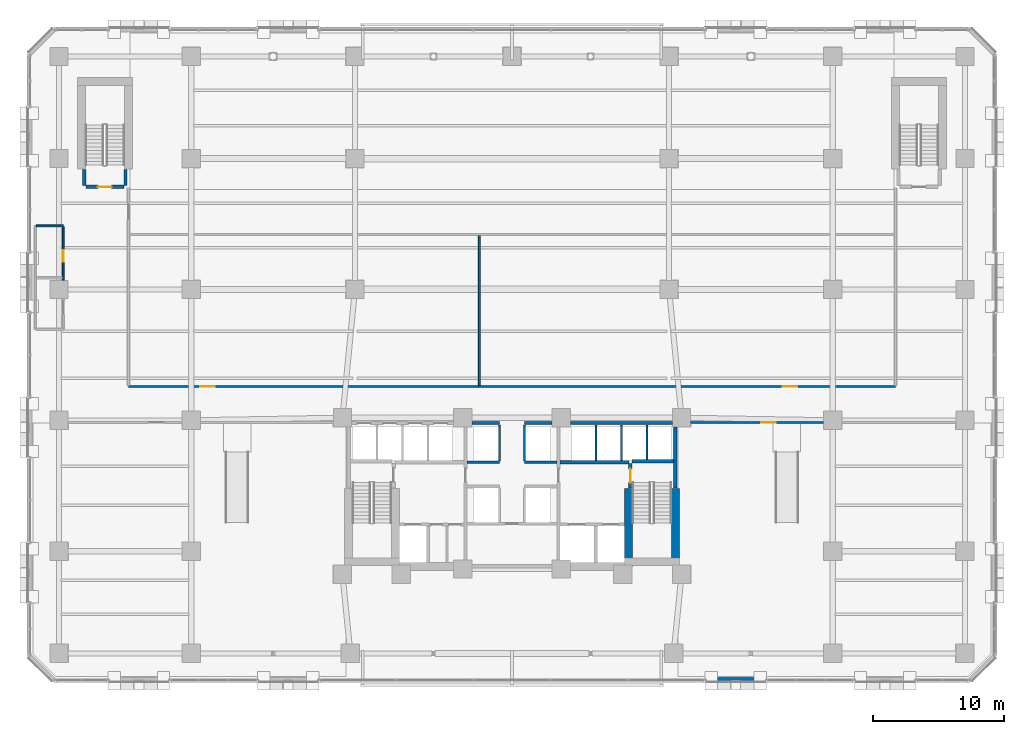
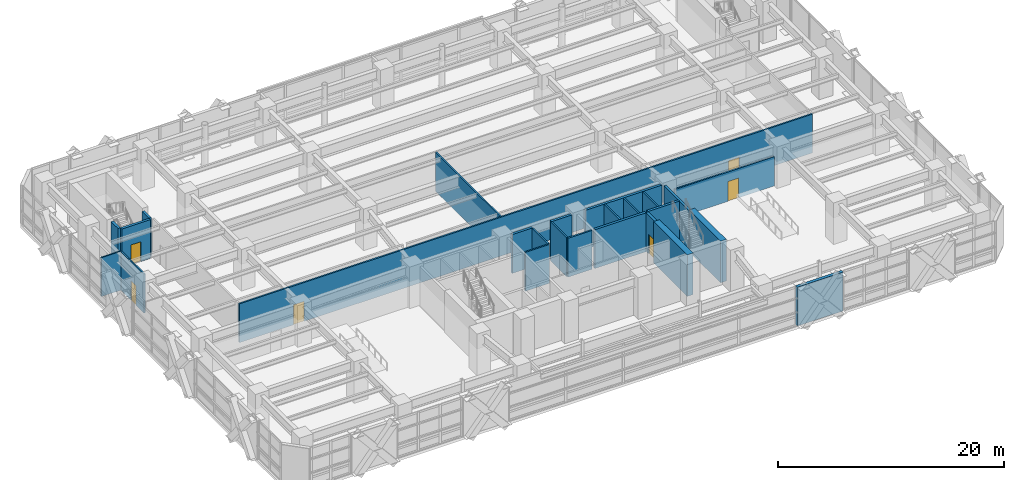
# One storey, part 18 of 30: 25 walls, 6 doors, 6 openings.
"""IFC4 building model written with IfcOpenShell, lengths in metres."""

import ifcopenshell
import ifcopenshell.guid

model = None  # the IFC model being written
_history = None  # IfcOwnerHistory: only IFC2X3 demands one
_inside = {}  # id of a spatial element -> (the spatial element, [elements in it])
_under = {}  # id of a project, library or spatial element -> (it, [spatial elements below it])
_declared = {}  # id of a project -> (the project, [libraries it declares])
_typed = {}  # id of a type object -> (the type object, [elements of that type])
_made_of = {}  # id of a material, layer set ... -> (it, [elements and type objects made of it])


def new_model(schema):
    """Start an empty IFC model of exactly this schema.

    Asked for "IFC4X3", IfcOpenShell would pick the latest addendum, in which some entities
    have other attributes; the version numbers below select the first issue.
    IFC2X3 requires an IfcOwnerHistory on every rooted entity: one is made here for all.
    """
    global model, _history
    if schema == "IFC4X3":
        model = ifcopenshell.file(schema_version=(4, 3, 0, 0))
    else:
        model = ifcopenshell.file(schema=schema)
    _inside.clear()
    _under.clear()
    _declared.clear()
    _typed.clear()
    _made_of.clear()
    _history = None
    if model.schema == "IFC2X3":
        org = make("IfcOrganization", Name="unknown")
        user = make(
            "IfcPersonAndOrganization",
            ThePerson=make("IfcPerson", FamilyName="unknown"),
            TheOrganization=org,
        )
        app = make(
            "IfcApplication",
            ApplicationDeveloper=org,
            Version="unknown",
            ApplicationFullName="unknown",
            ApplicationIdentifier="unknown",
        )
        _history = make(
            "IfcOwnerHistory",
            OwningUser=user,
            OwningApplication=app,
            ChangeAction="ADDED",
            CreationDate=0,
        )
    return model


def make(cls, **values):
    """One entity of the class cls with the attributes given. An attribute that is None is left unset."""
    return model.create_entity(
        cls, **{name: value for name, value in values.items() if value is not None}
    )


def rooted(cls, **values):
    """An entity with a GlobalId (a new one), such as an element, a storey or a relation."""
    return make(cls, GlobalId=ifcopenshell.guid.new(), OwnerHistory=_history, **values)


def si_unit(unit_type, name, prefix=None):
    """IfcSIUnit, for example si_unit("LENGTHUNIT", "METRE", prefix="MILLI")."""
    return make("IfcSIUnit", UnitType=unit_type, Prefix=prefix, Name=name)


def assignment(units):
    """IfcUnitAssignment: the units of a project."""
    return None if units is None else make("IfcUnitAssignment", Units=units)


def point(xyz):
    """IfcCartesianPoint."""
    return None if xyz is None else make("IfcCartesianPoint", Coordinates=xyz)


def direction(xyz):
    """IfcDirection."""
    return None if xyz is None else make("IfcDirection", DirectionRatios=xyz)


def frame(location, z_axis=None, x_axis=None):
    """IfcAxis2Placement3D, a coordinate frame: its origin and axes. An axis left out is left unset."""
    return make(
        "IfcAxis2Placement3D",
        Location=point(location),
        Axis=direction(z_axis),
        RefDirection=direction(x_axis),
    )


def frame_2d(location, x_axis=None):
    """IfcAxis2Placement2D, a coordinate frame in the plane: its origin and x axis."""
    return make(
        "IfcAxis2Placement2D", Location=point(location), RefDirection=direction(x_axis)
    )


def origin():
    """The frame at (0, 0, 0) with its axes left unset."""
    return frame((0.0, 0.0, 0.0))


def place(relative_to, where):
    """IfcLocalPlacement: puts the frame where relative to a parent placement (None: the world)."""
    return make(
        "IfcLocalPlacement", PlacementRelTo=relative_to, RelativePlacement=where
    )


def context(
    kind, dimensions, precision=None, world=None, true_north=None, identifier=None
):
    """IfcGeometricRepresentationContext, for example the 3D "Model" context."""
    return make(
        "IfcGeometricRepresentationContext",
        ContextIdentifier=identifier,
        ContextType=kind,
        CoordinateSpaceDimension=dimensions,
        Precision=precision,
        WorldCoordinateSystem=world,
        TrueNorth=true_north,
    )


def subcontext(parent, identifier, kind, view, scale=None):
    """IfcGeometricRepresentationSubContext, for example "Body" below "Model"."""
    return make(
        "IfcGeometricRepresentationSubContext",
        ContextIdentifier=identifier,
        ContextType=kind,
        ParentContext=parent,
        TargetScale=scale,
        TargetView=view,
    )


def project(units=None, contexts=None):
    """IfcProject with its units and contexts."""
    return rooted(
        "IfcProject",
        Name="project",
        RepresentationContexts=contexts,
        UnitsInContext=assignment(units),
    )


def spatial(cls, under=None, at=None, **own):
    """A site, building, storey or space (cls), placed at a placement, below another one or the project."""
    s = rooted(cls, ObjectPlacement=at, **own)
    if under is not None:
        _under.setdefault(under.id(), (under, []))[1].append(s)
    return s


def profile(cls, at=None, kind="AREA", **sizes):
    """A parametric profile (cls). Its sizes go by their IFC names, for example OverallWidth=200.0."""
    return make(cls, ProfileType=kind, Position=at, **sizes)


def rectangle(**sizes):
    """IfcRectangleProfileDef."""
    return profile("IfcRectangleProfileDef", **sizes)


def extrude(swept, where, along, depth):
    """IfcExtrudedAreaSolid: the profile swept, set in the frame where, extruded along a direction by depth."""
    return make(
        "IfcExtrudedAreaSolid",
        SweptArea=swept,
        Position=where,
        ExtrudedDirection=direction(along),
        Depth=depth,
    )


def shape(context_of_items, identifier, shape_type, items):
    """IfcShapeRepresentation: the items that make up one representation, for example the "Body"."""
    return make(
        "IfcShapeRepresentation",
        ContextOfItems=context_of_items,
        RepresentationIdentifier=identifier,
        RepresentationType=shape_type,
        Items=items,
    )


def material(Name=None, Category=None):
    """IfcMaterial."""
    return make("IfcMaterial", Name=Name, Category=Category)


def layer(
    of_material, thickness, ventilated=None, Name=None, Category=None, Priority=None
):
    """IfcMaterialLayer: one layer of a wall or slab, of a material (None: an air gap)."""
    return make(
        "IfcMaterialLayer",
        Material=of_material,
        LayerThickness=thickness,
        IsVentilated=ventilated,
        Name=Name,
        Category=Category,
        Priority=Priority,
    )


def layer_set(layers, Name=None):
    """IfcMaterialLayerSet."""
    return make("IfcMaterialLayerSet", MaterialLayers=layers, LayerSetName=Name)


def made_of(thing, what):
    """Note that an element or type object is made of a material, layer set ...; save() writes the relation."""
    if what is not None:
        _made_of.setdefault(what.id(), (what, []))[1].append(thing)
    return thing


def type_object(cls, material=None, **own):
    """A type object (cls), such as IfcWallType, which elements share."""
    return made_of(rooted(cls, **own), material)


def element(
    cls,
    number,
    at=None,
    inside=None,
    cuts=None,
    type_object=None,
    material=None,
    context=None,
    identifier="Body",
    shape_type=None,
    held_by="IfcProductDefinitionShape",
    body=None,
    shapes=None,
    **own,
):
    """One element of the class cls, such as IfcWall. Its Tag is "e" and its number.

    at: its placement. inside: the storey or other place that contains it. cuts: it is an
    opening in that element (IfcRelVoidsElement). A single representation is given by context,
    identifier, shape_type and body (its items); several are given by shapes. held_by: the class
    of the entity that holds the representations. save() writes the other relations.
    """
    e = rooted(cls, Tag="e%d" % number, ObjectPlacement=at, **own)
    if body is not None:
        shapes = [shape(context, identifier, shape_type, body)]
    if shapes is not None:
        e.Representation = make(held_by, Representations=shapes)
    if inside is not None:
        _inside.setdefault(inside.id(), (inside, []))[1].append(e)
    if cuts is not None:
        rooted(
            "IfcRelVoidsElement", RelatingBuildingElement=cuts, RelatedOpeningElement=e
        )
    if type_object is not None:
        _typed.setdefault(type_object.id(), (type_object, []))[1].append(e)
    return made_of(e, material)


def fill(opening, filler):
    """IfcRelFillsElement: the door or window that sits in an opening."""
    return rooted(
        "IfcRelFillsElement",
        RelatingOpeningElement=opening,
        RelatedBuildingElement=filler,
    )


def aggregate(whole, parts):
    """IfcRelAggregates: a whole, such as a stair, and the parts it consists of."""
    return rooted("IfcRelAggregates", RelatingObject=whole, RelatedObjects=parts)


def save(model, path):
    """Write the relations noted so far, then the file.

    IfcRelAggregates (storeys below a building ...), IfcRelContainedInSpatialStructure (elements
    in a storey), IfcRelDefinesByType, IfcRelAssociatesMaterial and IfcRelDeclares: one each for
    every whole, place, type object, material and project.
    """
    for whole, parts in _under.values():
        aggregate(whole, parts)
    for where, things in _inside.values():
        rooted(
            "IfcRelContainedInSpatialStructure",
            RelatedElements=things,
            RelatingStructure=where,
        )
    for kind, things in _typed.values():
        rooted("IfcRelDefinesByType", RelatedObjects=things, RelatingType=kind)
    for what, things in _made_of.values():
        rooted("IfcRelAssociatesMaterial", RelatedObjects=things, RelatingMaterial=what)
    for by, libraries in _declared.values():
        rooted("IfcRelDeclares", RelatingContext=by, RelatedDefinitions=libraries)
    model.write(path)


model = new_model("IFC4")

# Units and contexts
model_context = context("Model", 3, precision=1e-05, world=origin(), true_north=direction((0.0, 1.0)))
body_context = subcontext(model_context, "Body", "Model", "MODEL_VIEW")
ifc_project = project(units=[si_unit("LENGTHUNIT", "METRE"), si_unit("AREAUNIT", "SQUARE_METRE"), si_unit("VOLUMEUNIT", "CUBIC_METRE"), si_unit("PLANEANGLEUNIT", "RADIAN"), si_unit("MASSUNIT", "GRAM", prefix="KILO")], contexts=[model_context])

# Site, building, storey
site_placement = place(None, origin())
site = spatial("IfcSite", under=ifc_project, at=site_placement, CompositionType="ELEMENT")
building_placement = place(site_placement, origin())
building = spatial("IfcBuilding", under=site, at=building_placement, Name="Quenlor Broadcast Tower", CompositionType="ELEMENT")
storey_placement = place(building_placement, frame((0.0, 0.0, 9.5)))
storey = spatial("IfcBuildingStorey", under=building, at=storey_placement, Name="L02", CompositionType="ELEMENT", Elevation=9.5)

# Wall
ifc_material_1 = material(Name="Acoustic Double Stud Gypsum Partition", Category="other")
ifc_layer_1 = layer(ifc_material_1, 0.14990234375)
ifc_layer_set_1 = layer_set([ifc_layer_1], Name="Broadcast Studio Acoustic Partition 150")
wall_type_1 = type_object("IfcWallType", Name="Broadcast Studio Acoustic Partition 150", PredefinedType="PARTITIONING", material=ifc_layer_set_1)
wall_1_placement = place(storey_placement, frame((-2.5, -2.337890625, 0.0), z_axis=(0.0, 0.0, 1.0), x_axis=(0.0, 1.0, 0.0)))
element("IfcWall", 1, at=wall_1_placement, inside=storey, type_object=wall_type_1, Name="L02 Interior Wall PW-PD-VX", PredefinedType="PARTITIONING", context=body_context, shape_type="SweptSolid", body=[
    extrude(rectangle(XDim=11.4580078125, YDim=0.14990234375, at=frame_2d((5.72900390625, 0.0))), origin(), (0.0, 0.0, 1.0), 4.199951171875),
])

# Wall, opening, door
wall_2_placement = place(storey_placement, frame((-34.280029296875, 5.701904296875, 0.0), z_axis=(0.0, 0.0, 1.0), x_axis=(0.0, 1.0, 0.0)))
wall_2 = element("IfcWall", 2, at=wall_2_placement, inside=storey, type_object=wall_type_1, Name="L02 Interior Wall PW-PD-WCES2", PredefinedType="PARTITIONING", context=body_context, shape_type="SweptSolid", body=[
    extrude(rectangle(XDim=4.088134765625, YDim=0.14990234375, at=frame_2d((2.0439453125, 0.0))), origin(), (0.0, 0.0, 1.0), 4.199951171875),
])
opening_1_placement = place(wall_2_placement, frame((1.407958984375, 0.0, 0.0)))
opening_1 = element("IfcOpeningElement", 3, at=opening_1_placement, cuts=wall_2, Name="Opening ID-3", PredefinedType="OPENING", context=body_context, shape_type="SweptSolid", body=[
    extrude(rectangle(XDim=0.89990234375, YDim=2.1201171875, at=frame_2d((0.449951171875, 1.06005859375))), frame((0.0, 0.0849609375, 0.0), z_axis=(0.0, -1.0, 0.0), x_axis=(1.0, 0.0, 0.0)), (0.0, 0.0, 1.0), 0.169921875),
])
ifc_material_2 = material(Name="Moisture Resistant Timber Oak", Category="wood")
door_type_1 = type_object("IfcDoorType", Name="Washroom Privacy Door 900x2120", OperationType="NOTDEFINED", PredefinedType="DOOR", material=ifc_material_2)
door_1_placement = place(opening_1_placement, origin())
door_1 = element("IfcDoor", 4, at=door_1_placement, inside=storey, type_object=door_type_1, Name="L02 Door DR-PD-FWC", OperationType="SINGLE_SWING_RIGHT", OverallHeight=2.1201171875, OverallWidth=0.89990234375, PredefinedType="DOOR", context=body_context, shape_type="SweptSolid", body=[
    extrude(rectangle(XDim=0.89990234375, YDim=2.1201171875, at=frame_2d((0.449951171875, 1.06005859375))), frame((0.0, 0.02490234375, 0.0), z_axis=(0.0, -1.0, 0.0), x_axis=(1.0, 0.0, 0.0)), (0.0, 0.0, 1.0), 0.050048828125),
])
fill(opening_1, door_1)

# Walls
wall_3_placement = place(storey_placement, frame((-36.343017578125, 9.85009765625, 0.0), z_axis=(0.0, 0.0, 1.0), x_axis=(1.0, 0.0, 0.0)))
element("IfcWall", 5, at=wall_3_placement, inside=storey, type_object=wall_type_1, Name="L02 Interior Wall PW-PD-WCN", PredefinedType="PARTITIONING", context=body_context, shape_type="SweptSolid", body=[
    extrude(rectangle(XDim=2.06298828125, YDim=0.14990234375, at=frame_2d((1.031494140625, 0.0))), origin(), (0.0, 0.0, 1.0), 4.199951171875),
])
ifc_material_3 = material(Name="Concrete C65/80", Category="concrete")
ifc_layer_2 = layer(ifc_material_3, 0.60009765625)
ifc_layer_set_2 = layer_set([ifc_layer_2], Name="Core Concrete C65/80 Shear Wall 600")
wall_type_2 = type_object("IfcWallType", Name="Core Concrete C65/80 Shear Wall 600", PredefinedType="SHEAR", material=ifc_layer_set_2)
wall_4_placement = place(storey_placement, frame((12.5, -15.800048828125, 0.0), z_axis=(0.0, 0.0, 1.0), x_axis=(0.0, 1.0, 0.0)))
element("IfcWall", 6, at=wall_4_placement, inside=storey, type_object=wall_type_2, Name="L02 Core Shear Wall WF-E", PredefinedType="SHEAR", context=body_context, shape_type="SweptSolid", body=[
    extrude(rectangle(XDim=5.60009765625, YDim=0.60009765625, at=frame_2d((2.800048828125, 0.0))), origin(), (0.0, 0.0, 1.0), 4.5),
])
wall_5_placement = place(storey_placement, frame((8.89990234375, -16.14990234375, 0.0), z_axis=(0.0, 0.0, 1.0), x_axis=(0.0, 1.0, 0.0)))
element("IfcWall", 7, at=wall_5_placement, inside=storey, type_object=wall_type_2, Name="L02 Core Shear Wall WI-E", PredefinedType="SHEAR", context=body_context, shape_type="SweptSolid", body=[
    extrude(rectangle(XDim=5.949951171875, YDim=0.60009765625, at=frame_2d((2.97509765625, 0.0))), origin(), (0.0, 0.0, 1.0), 4.5),
])

# Wall, opening, door
ifc_material_4 = material(Name="Concrete C40/50", Category="concrete")
ifc_layer_3 = layer(ifc_material_4, 0.25)
ifc_layer_set_3 = layer_set([ifc_layer_3], Name="Fire Rated Concrete C40/50 Core Wall 250")
wall_type_3 = type_object("IfcWallType", Name="Fire Rated Concrete C40/50 Core Wall 250", PredefinedType="PARTITIONING", material=ifc_layer_set_3)
wall_6_placement = place(storey_placement, frame((9.0400390625, -10.179931640625, 0.0), z_axis=(0.0, 0.0, 1.0), x_axis=(0.0, 1.0, 0.0)))
wall_6 = element("IfcWall", 8, at=wall_6_placement, inside=storey, type_object=wall_type_3, Name="L02 Interior Wall CW-ST2-DR", PredefinedType="PARTITIONING", context=body_context, shape_type="SweptSolid", body=[
    extrude(rectangle(XDim=1.89990234375, YDim=0.25, at=frame_2d((0.949951171875, 0.0))), origin(), (0.0, 0.0, 1.0), 4.199951171875),
])
opening_2_placement = place(wall_6_placement, frame((0.419921875, 0.0, 0.0)))
opening_2 = element("IfcOpeningElement", 9, at=opening_2_placement, cuts=wall_6, Name="Opening FD-1", PredefinedType="OPENING", context=body_context, shape_type="SweptSolid", body=[
    extrude(rectangle(XDim=1.050048828125, YDim=2.14990234375, at=frame_2d((0.52490234375, 1.074951171875))), frame((0.0, 0.135009765625, 0.0), z_axis=(0.0, -1.0, 0.0), x_axis=(1.0, 0.0, 0.0)), (0.0, 0.0, 1.0), 0.27001953125),
])
ifc_material_5 = material(Name="Fire Rated Steel Door Leaf", Category="steel")
door_type_2 = type_object("IfcDoorType", Name="Fire Isolated Stair Door 1050x2150", OperationType="NOTDEFINED", PredefinedType="DOOR", material=ifc_material_5)
door_2_placement = place(opening_2_placement, origin())
door_2 = element("IfcDoor", 10, at=door_2_placement, inside=storey, type_object=door_type_2, Name="L02 Door DR-ST2", OperationType="SINGLE_SWING_RIGHT", OverallHeight=2.14990234375, OverallWidth=1.050048828125, PredefinedType="DOOR", context=body_context, shape_type="SweptSolid", body=[
    extrude(rectangle(XDim=1.050048828125, YDim=2.14990234375, at=frame_2d((0.52490234375, 1.074951171875))), frame((0.0, 0.02490234375, 0.0), z_axis=(0.0, -1.0, 0.0), x_axis=(1.0, 0.0, 0.0)), (0.0, 0.0, 1.0), 0.050048828125),
])
fill(opening_2, door_2)

# Walls
wall_7_placement = place(storey_placement, frame((9.159912109375, -8.1201171875, 0.0), z_axis=(0.0, 0.0, 1.0), x_axis=(1.0, 0.0, 0.0)))
element("IfcWall", 11, at=wall_7_placement, inside=storey, type_object=wall_type_3, Name="L02 Interior Wall CW-ST2-N", PredefinedType="PARTITIONING", context=body_context, shape_type="SweptSolid", body=[
    extrude(rectangle(XDim=3.219970703125, YDim=0.25, at=frame_2d((1.60986328125, 0.0))), origin(), (0.0, 0.0, 1.0), 4.199951171875),
])
wall_8_placement = place(storey_placement, frame((12.47998046875, -10.179931640625, 0.0), z_axis=(0.0, 0.0, 1.0), x_axis=(0.0, 1.0, 0.0)))
element("IfcWall", 12, at=wall_8_placement, inside=storey, type_object=wall_type_3, Name="L02 Interior Wall CW-ST2-E2", PredefinedType="PARTITIONING", context=body_context, shape_type="SweptSolid", body=[
    extrude(rectangle(XDim=4.677978515625, YDim=0.25, at=frame_2d((2.3388671875, 0.0))), origin(), (0.0, 0.0, 1.0), 4.199951171875),
])

# Wall, opening, door
wall_9_placement = place(storey_placement, frame((-32.550048828125, 12.840087890625, 0.0), z_axis=(0.0, 0.0, 1.0), x_axis=(1.0, 0.0, 0.0)))
wall_9 = element("IfcWall", 13, at=wall_9_placement, inside=storey, type_object=wall_type_3, Name="L02 Interior Wall CW-ST3-S", PredefinedType="PARTITIONING", context=body_context, shape_type="SweptSolid", body=[
    extrude(rectangle(XDim=2.900146484375, YDim=0.25, at=frame_2d((1.4501953125, 0.0))), origin(), (0.0, 0.0, 1.0), 4.199951171875),
])
opening_3_placement = place(wall_9_placement, frame((0.919921875, 0.0, 0.0)))
opening_3 = element("IfcOpeningElement", 14, at=opening_3_placement, cuts=wall_9, Name="Opening FD-1", PredefinedType="OPENING", context=body_context, shape_type="SweptSolid", body=[
    extrude(rectangle(XDim=1.050048828125, YDim=2.14990234375, at=frame_2d((0.52490234375, 1.074951171875))), frame((0.0, 0.135009765625, 0.0), z_axis=(0.0, -1.0, 0.0), x_axis=(1.0, 0.0, 0.0)), (0.0, 0.0, 1.0), 0.27001953125),
])
door_3_placement = place(opening_3_placement, origin())
door_3 = element("IfcDoor", 15, at=door_3_placement, inside=storey, type_object=door_type_2, Name="L02 Door DR-ST3", OperationType="SINGLE_SWING_LEFT", OverallHeight=2.14990234375, OverallWidth=1.050048828125, PredefinedType="DOOR", context=body_context, shape_type="SweptSolid", body=[
    extrude(rectangle(XDim=1.050048828125, YDim=2.14990234375, at=frame_2d((0.52490234375, 1.074951171875))), frame((0.0, 0.02490234375, 0.0), z_axis=(0.0, -1.0, 0.0), x_axis=(1.0, 0.0, 0.0)), (0.0, 0.0, 1.0), 0.050048828125),
])
fill(opening_3, door_3)

# Walls
for number, where, z_axis, x_axis, name in (
    (16, (-32.679931640625, 12.9599609375, 0.0), (0.0, 0.0, 1.0), (0.0, 1.0, 0.0), "L02 Interior Wall CW-ST3-W1"),
    (17, (-29.52001953125, 12.9599609375, 0.0), (0.0, 0.0, 1.0), (0.0, 1.0, 0.0), "L02 Interior Wall CW-ST3-E1"),
):
    element("IfcWall", number, at=place(storey_placement, frame(where, z_axis=z_axis, x_axis=x_axis)), inside=storey, type_object=wall_type_3, Name=name, PredefinedType="PARTITIONING", context=body_context, shape_type="SweptSolid", body=[
        extrude(rectangle(XDim=1.219970703125, YDim=0.25, at=frame_2d((0.60986328125, 0.0))), origin(), (0.0, 0.0, 1.0), 4.199951171875),
    ])
wall_10_placement = place(storey_placement, frame((3.679931640625, -8.199951171875, 0.0), z_axis=(0.0, 0.0, 1.0), x_axis=(1.0, 0.0, 0.0)))
element("IfcWall", 18, at=wall_10_placement, inside=storey, type_object=wall_type_3, Name="L02 Interior Wall CW-FFE-N", PredefinedType="PARTITIONING", context=body_context, shape_type="SweptSolid", body=[
    extrude(rectangle(XDim=5.239990234375, YDim=0.25, at=frame_2d((2.6201171875, 0.0))), origin(), (0.0, 0.0, 1.0), 4.199951171875),
])
wall_11_placement = place(storey_placement, frame((4.451904296875, -5.199951171875, 0.0), z_axis=(0.0, 0.0, 1.0), x_axis=(1.0, 0.0, 0.0)))
element("IfcWall", 19, at=wall_11_placement, inside=storey, type_object=wall_type_3, Name="L02 Interior Wall CW-N-E", PredefinedType="PARTITIONING", context=body_context, shape_type="SweptSolid", body=[
    extrude(rectangle(XDim=7.796142578125, YDim=0.25, at=frame_2d((3.89794921875, 0.0))), origin(), (0.0, 0.0, 1.0), 4.199951171875),
])
for number, where, z_axis, x_axis, name in (
    (20, (-3.048095703125, -5.199951171875, 0.0), (0.0, 0.0, 1.0), (1.0, 0.0, 0.0), "L02 Interior Wall CW-N-M1"),
    (21, (0.949951171875, -5.199951171875, 0.0), (0.0, 0.0, 1.0), (1.0, 0.0, 0.0), "L02 Interior Wall CW-N-M2"),
):
    element("IfcWall", number, at=place(storey_placement, frame(where, z_axis=z_axis, x_axis=x_axis)), inside=storey, type_object=wall_type_3, Name=name, PredefinedType="PARTITIONING", context=body_context, shape_type="SweptSolid", body=[
        extrude(rectangle(XDim=2.09814453125, YDim=0.25, at=frame_2d((1.049072265625, 0.0))), origin(), (0.0, 0.0, 1.0), 4.199951171875),
    ])
ifc_material_6 = material(Name="Gypsum Fireboard Partition", Category="other")
ifc_layer_4 = layer(ifc_material_6, 0.159912109375)
ifc_layer_set_4 = layer_set([ifc_layer_4], Name="Fire Rated Shaft and Corridor Partition 160")
wall_type_4 = type_object("IfcWallType", Name="Fire Rated Shaft and Corridor Partition 160", PredefinedType="PARTITIONING", material=ifc_layer_set_4)
for number, where, z_axis, x_axis, name in (
    (22, (6.425048828125, -8.072998046875, 0.0), (0.0, 0.0, 1.0), (0.0, 1.0, 0.0), "L02 Interior Wall CW-PLH-D1"),
    (23, (8.375, -8.072998046875, 0.0), (0.0, 0.0, 1.0), (0.0, 1.0, 0.0), "L02 Interior Wall CW-PLH-D2"),
):
    element("IfcWall", number, at=place(storey_placement, frame(where, z_axis=z_axis, x_axis=x_axis)), inside=storey, type_object=wall_type_4, Name=name, PredefinedType="PARTITIONING", context=body_context, shape_type="SweptSolid", body=[
        extrude(rectangle(XDim=2.73291015625, YDim=0.159912109375, at=frame_2d((1.366455078125, 0.0))), origin(), (0.0, 0.0, 1.0), 4.199951171875),
    ])
wall_12_placement = place(storey_placement, frame((10.324951171875, -7.992919921875, 0.0), z_axis=(0.0, 0.0, 1.0), x_axis=(0.0, 1.0, 0.0)))
element("IfcWall", 24, at=wall_12_placement, inside=storey, type_object=wall_type_4, Name="L02 Interior Wall CW-PLH-D3", PredefinedType="PARTITIONING", context=body_context, shape_type="SweptSolid", body=[
    extrude(rectangle(XDim=2.65283203125, YDim=0.159912109375, at=frame_2d((1.326416015625, 0.0))), origin(), (0.0, 0.0, 1.0), 4.199951171875),
])
for number, where, z_axis, x_axis, name in (
    (25, (-0.949951171875, -8.1201171875, 0.0), (0.0, 0.0, 1.0), (0.0, 1.0, 0.0), "L02 Interior Wall CW-CCRP-W"),
    (26, (0.949951171875, -8.1201171875, 0.0), (0.0, 0.0, 1.0), (0.0, 1.0, 0.0), "L02 Interior Wall CW-CCRP-E"),
):
    element("IfcWall", number, at=place(storey_placement, frame(where, z_axis=z_axis, x_axis=x_axis)), inside=storey, type_object=wall_type_4, Name=name, PredefinedType="PARTITIONING", context=body_context, shape_type="SweptSolid", body=[
        extrude(rectangle(XDim=2.780029296875, YDim=0.159912109375, at=frame_2d((1.39013671875, 0.0))), origin(), (0.0, 0.0, 1.0), 4.199951171875),
    ])
for number, where, z_axis, x_axis, name in (
    (27, (-3.419921875, -8.199951171875, 0.0), (0.0, 0.0, 1.0), (1.0, 0.0, 0.0), "L02 Interior Wall CW-M-BACK1"),
    (28, (0.949951171875, -8.199951171875, 0.0), (0.0, 0.0, 1.0), (1.0, 0.0, 0.0), "L02 Interior Wall CW-M-BACK2"),
):
    element("IfcWall", number, at=place(storey_placement, frame(where, z_axis=z_axis, x_axis=x_axis)), inside=storey, type_object=wall_type_4, Name=name, PredefinedType="PARTITIONING", context=body_context, shape_type="SweptSolid", body=[
        extrude(rectangle(XDim=2.469970703125, YDim=0.159912109375, at=frame_2d((1.23486328125, 0.0))), origin(), (0.0, 0.0, 1.0), 4.199951171875),
    ])

# Wall, openings, doors
wall_13_placement = place(storey_placement, frame((-29.300048828125, -2.419921875, 0.0), z_axis=(0.0, 0.0, 1.0), x_axis=(1.0, 0.0, 0.0)))
wall_13 = element("IfcWall", 29, at=wall_13_placement, inside=storey, type_object=wall_type_4, Name="L02 Interior Wall PW-PD-CN", PredefinedType="PARTITIONING", context=body_context, shape_type="SweptSolid", body=[
    extrude(rectangle(XDim=58.60009765625, YDim=0.159912109375, at=frame_2d((29.300048828125, 0.0))), origin(), (0.0, 0.0, 1.0), 4.199951171875),
])
opening_4_placement = place(wall_13_placement, frame((5.5, 0.0, 0.0)))
opening_4 = element("IfcOpeningElement", 30, at=opening_4_placement, cuts=wall_13, Name="Opening ID-2", PredefinedType="OPENING", context=body_context, shape_type="SweptSolid", body=[
    extrude(rectangle(XDim=1.10009765625, YDim=2.14990234375, at=frame_2d((0.550048828125, 1.074951171875))), frame((0.0, 0.08984375, 0.0), z_axis=(0.0, -1.0, 0.0), x_axis=(1.0, 0.0, 0.0)), (0.0, 0.0, 1.0), 0.179931640625),
])
opening_5_placement = place(wall_13_placement, frame((50.0, 0.0, 0.0)))
opening_5 = element("IfcOpeningElement", 31, at=opening_5_placement, cuts=wall_13, Name="Opening ID-2", PredefinedType="OPENING", context=body_context, shape_type="SweptSolid", body=[
    extrude(rectangle(XDim=1.10009765625, YDim=2.14990234375, at=frame_2d((0.550048828125, 1.074951171875))), frame((0.0, 0.08984375, 0.0), z_axis=(0.0, -1.0, 0.0), x_axis=(1.0, 0.0, 0.0)), (0.0, 0.0, 1.0), 0.179931640625),
])
ifc_material_7 = material(Name="Acoustic Laminated Timber Oak", Category="wood")
door_type_3 = type_object("IfcDoorType", Name="Wide Studio Acoustic Timber Door 1100x2150", OperationType="NOTDEFINED", PredefinedType="DOOR", material=ifc_material_7)
door_4_placement = place(opening_4_placement, origin())
door_4 = element("IfcDoor", 32, at=door_4_placement, inside=storey, type_object=door_type_3, Name="L02 Door DR-PD3", OperationType="SINGLE_SWING_LEFT", OverallHeight=2.14990234375, OverallWidth=1.10009765625, PredefinedType="DOOR", context=body_context, shape_type="SweptSolid", body=[
    extrude(rectangle(XDim=1.10009765625, YDim=2.14990234375, at=frame_2d((0.550048828125, 1.074951171875))), frame((0.0, 0.02490234375, 0.0), z_axis=(0.0, -1.0, 0.0), x_axis=(1.0, 0.0, 0.0)), (0.0, 0.0, 1.0), 0.050048828125),
])
fill(opening_4, door_4)
door_5_placement = place(opening_5_placement, origin())
door_5 = element("IfcDoor", 33, at=door_5_placement, inside=storey, type_object=door_type_3, Name="L02 Door DR-PD4", OperationType="SINGLE_SWING_RIGHT", OverallHeight=2.14990234375, OverallWidth=1.10009765625, PredefinedType="DOOR", context=body_context, shape_type="SweptSolid", body=[
    extrude(rectangle(XDim=1.10009765625, YDim=2.14990234375, at=frame_2d((0.550048828125, 1.074951171875))), frame((0.0, 0.02490234375, 0.0), z_axis=(0.0, -1.0, 0.0), x_axis=(1.0, 0.0, 0.0)), (0.0, 0.0, 1.0), 0.050048828125),
])
fill(opening_5, door_5)

# Wall, opening, door
wall_14_placement = place(storey_placement, frame((13.652099609375, -5.14990234375, 0.0), z_axis=(0.0, 0.0, 1.0), x_axis=(1.0, 0.0, 0.0)))
wall_14 = element("IfcWall", 34, at=wall_14_placement, inside=storey, type_object=wall_type_4, Name="L02 Interior Wall PW-PD-CSE", PredefinedType="PARTITIONING", context=body_context, shape_type="SweptSolid", body=[
    extrude(rectangle(XDim=10.14599609375, YDim=0.159912109375, at=frame_2d((5.072998046875, 0.0))), origin(), (0.0, 0.0, 1.0), 3.176025390625),
])
opening_6_placement = place(wall_14_placement, frame((5.39794921875, 0.0, 0.0)))
opening_6 = element("IfcOpeningElement", 35, at=opening_6_placement, cuts=wall_14, Name="Opening ID-2", PredefinedType="OPENING", context=body_context, shape_type="SweptSolid", body=[
    extrude(rectangle(XDim=1.10009765625, YDim=2.14990234375, at=frame_2d((0.550048828125, 1.074951171875))), frame((0.0, 0.08984375, 0.0), z_axis=(0.0, -1.0, 0.0), x_axis=(1.0, 0.0, 0.0)), (0.0, 0.0, 1.0), 0.179931640625),
])
door_6_placement = place(opening_6_placement, origin())
door_6 = element("IfcDoor", 36, at=door_6_placement, inside=storey, type_object=door_type_3, Name="L02 Door DR-PD2", OperationType="SINGLE_SWING_RIGHT", OverallHeight=2.14990234375, OverallWidth=1.10009765625, PredefinedType="DOOR", context=body_context, shape_type="SweptSolid", body=[
    extrude(rectangle(XDim=1.10009765625, YDim=2.14990234375, at=frame_2d((0.550048828125, 1.074951171875))), frame((0.0, 0.02490234375, 0.0), z_axis=(0.0, -1.0, 0.0), x_axis=(1.0, 0.0, 0.0)), (0.0, 0.0, 1.0), 0.050048828125),
])
fill(opening_6, door_6)

# Wall
ifc_material_8 = material(Name="Precast concrete C40/50", Category="concrete")
ifc_layer_5 = layer(ifc_material_8, 0.320068359375)
ifc_layer_set_5 = layer_set([ifc_layer_5], Name="Station Podium Precast Concrete C40/50 Facade Wall 320")
wall_type_5 = type_object("IfcWallType", Name="Station Podium Precast Concrete C40/50 Facade Wall 320", PredefinedType="STANDARD", material=ifc_layer_set_5)
wall_15_placement = place(storey_placement, frame((19.449462890625, -24.820068359375, 0.0), z_axis=(0.0, 0.0, 1.0), x_axis=(-1.0, 0.0, 0.0)))
element("IfcWall", 37, at=wall_15_placement, inside=storey, type_object=wall_type_5, Name="L02 Exterior Wall L02-S-FULL-SP2", PredefinedType="STANDARD", context=body_context, shape_type="SweptSolid", body=[
    extrude(rectangle(XDim=4.698974609375, YDim=0.320068359375, at=frame_2d((2.349609375, 0.0))), origin(), (0.0, 0.0, 1.0), 4.199951171875),
])

save(model, "model.ifc")
